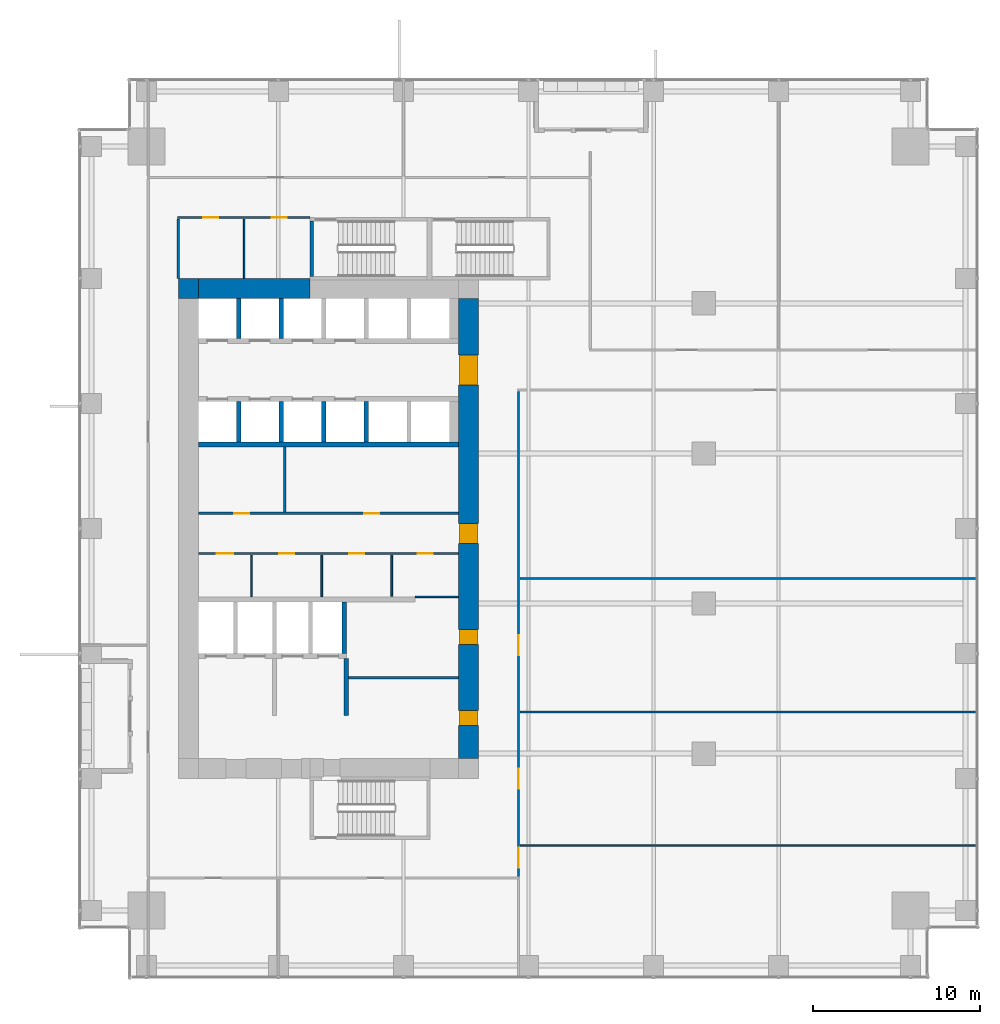
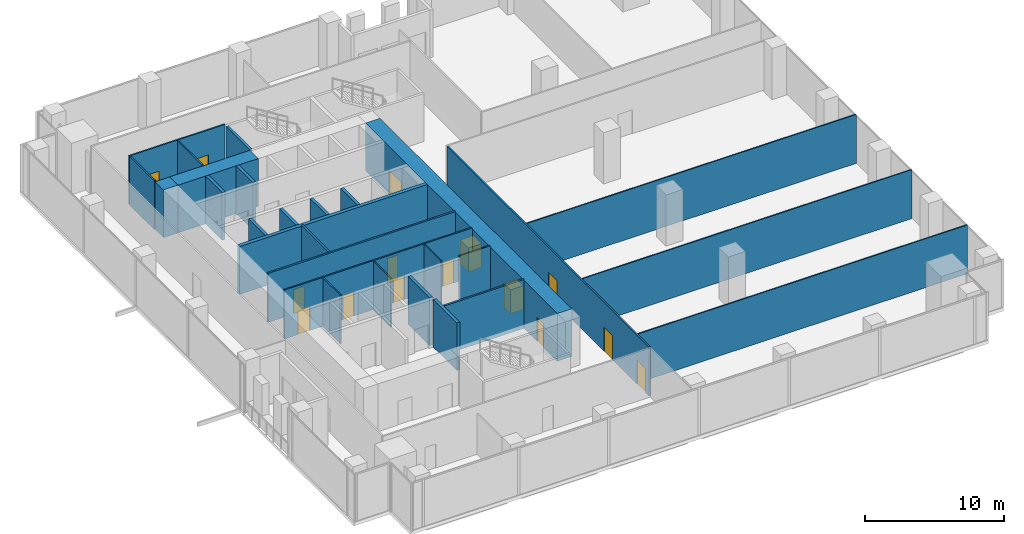
# One storey, part 28 of 33: 28 walls, 15 doors, 15 openings.
"""IFC4 building model written with IfcOpenShell, lengths in metres."""

from ifc_helpers import new_model, si_unit, direction, frame, frame_2d, origin, place, context, subcontext, project, spatial, rectangle, extrude, source, transform, mapped, material, layer, layer_set, type_object, element, fill, save


model = new_model("IFC4")

# Units and contexts
model_context = context("Model", 3, precision=1e-05, world=origin(), true_north=direction((0.0, 1.0)))
body_context = subcontext(model_context, "Body", "Model", "MODEL_VIEW")
ifc_project = project(units=[si_unit("LENGTHUNIT", "METRE"), si_unit("AREAUNIT", "SQUARE_METRE"), si_unit("VOLUMEUNIT", "CUBIC_METRE"), si_unit("PLANEANGLEUNIT", "RADIAN"), si_unit("MASSUNIT", "GRAM", prefix="KILO")], contexts=[model_context])

# Site, building, storey
site_placement = place(None, origin())
site = spatial("IfcSite", under=ifc_project, at=site_placement, CompositionType="ELEMENT")
building_placement = place(site_placement, origin())
building = spatial("IfcBuilding", under=site, at=building_placement, Name="Khomas Fold Tower", CompositionType="ELEMENT")
storey_placement = place(building_placement, frame((0.0, 0.0, 91.5)))
storey = spatial("IfcBuildingStorey", under=building, at=storey_placement, Name="L19", CompositionType="ELEMENT", Elevation=91.5)

# Walls
ifc_material_1 = material(Name="Concrete C70/85", Category="concrete")
ifc_layer_1 = layer(ifc_material_1, 1.199951171875)
ifc_layer_set_1 = layer_set([ifc_layer_1], Name="Concrete C70/85")
wall_type_1 = type_object("IfcWallType", Name="Core wall 1200", PredefinedType="SHEAR", material=ifc_layer_set_1)
shared_shape_1 = source(origin(), body_context, "Body", "SweptSolid", [
    extrude(rectangle(XDim=6.699951171875, YDim=1.199951171875, at=frame_2d((3.35009765625, 0.0))), origin(), (0.0, 0.0, 1.0), 4.199951171875),
])
wall_1_placement = place(storey_placement, frame((7.199951171875, 41.39990234375, 0.0), z_axis=(0.0, 0.0, 1.0), x_axis=(1.0, 0.0, 0.0)))
element("IfcWall", 1, at=wall_1_placement, inside=storey, type_object=wall_type_1, Name="Core wall CW-L-N-B2", PredefinedType="SHEAR", context=body_context, shape_type="MappedRepresentation", body=[
    mapped(shared_shape_1, transform((0.0, 0.0, 0.0))),
])
ifc_material_2 = material(Name="Concrete C70/85", Category="concrete")
ifc_layer_2 = layer(ifc_material_2, 1.199951171875)
ifc_layer_set_2 = layer_set([ifc_layer_2], Name="Concrete C70/85")
wall_type_2 = type_object("IfcWallType", Name="Core corner wall 1200", PredefinedType="SHEAR", material=ifc_layer_set_2)
shared_shape_2 = source(origin(), body_context, "Body", "SweptSolid", [
    extrude(rectangle(XDim=1.199951171875, YDim=1.199951171875, at=frame_2d((0.60009765625, 0.0))), origin(), (0.0, 0.0, 1.0), 4.199951171875),
])
wall_2_placement = place(storey_placement, frame((6.0, 41.39990234375, 0.0), z_axis=(0.0, 0.0, 1.0), x_axis=(1.0, 0.0, 0.0)))
element("IfcWall", 2, at=wall_2_placement, inside=storey, type_object=wall_type_2, Name="Core wall CW-L-NW-B2", PredefinedType="SHEAR", context=body_context, shape_type="MappedRepresentation", body=[
    mapped(shared_shape_2, transform((0.0, 0.0, 0.0))),
])

# Wall, openings, doors
shared_shape_3 = source(origin(), body_context, "Body", "SweptSolid", [
    extrude(rectangle(XDim=27.60009765625, YDim=1.199951171875, at=frame_2d((13.800048828125, 0.0))), origin(), (0.0, 0.0, 1.0), 4.199951171875),
])
wall_3_placement = place(storey_placement, frame((23.39990234375, 13.199951171875, 0.0), z_axis=(0.0, 0.0, 1.0), x_axis=(0.0, 1.0, 0.0)))
wall_3 = element("IfcWall", 3, at=wall_3_placement, inside=storey, type_object=wall_type_1, Name="Core wall CW-L-E-B2", PredefinedType="SHEAR", context=body_context, shape_type="MappedRepresentation", body=[
    mapped(shared_shape_3, transform((0.0, 0.0, 0.0))),
])
shared_shape_4 = source(origin(), body_context, "Body", "SweptSolid", [
    extrude(rectangle(XDim=1.800048828125, YDim=2.10009765625, at=frame_2d((0.89990234375, 1.050048828125))), frame((0.0, 0.60986328125, 0.0), z_axis=(0.0, -1.0, 0.0), x_axis=(1.0, 0.0, 0.0)), (0.0, 0.0, 1.0), 1.219970703125),
])
opening_1_placement = place(wall_3_placement, frame((22.39990234375, 0.0, 0.0)))
opening_1 = element("IfcOpeningElement", 4, at=opening_1_placement, cuts=wall_3, Name="Opening 0015", PredefinedType="OPENING", context=body_context, shape_type="MappedRepresentation", body=[
    mapped(shared_shape_4, transform((0.0, 0.0, 0.0))),
])
shared_shape_5 = source(origin(), body_context, "Body", "SweptSolid", [
    extrude(rectangle(XDim=1.199951171875, YDim=2.10009765625, at=frame_2d((0.60009765625, 1.050048828125))), frame((0.0, 0.60986328125, 0.0), z_axis=(0.0, -1.0, 0.0), x_axis=(1.0, 0.0, 0.0)), (0.0, 0.0, 1.0), 1.219970703125),
])
opening_2_placement = place(wall_3_placement, frame((12.89990234375, 0.0, 0.0)))
opening_2 = element("IfcOpeningElement", 5, at=opening_2_placement, cuts=wall_3, Name="Opening 0001", PredefinedType="OPENING", context=body_context, shape_type="MappedRepresentation", body=[
    mapped(shared_shape_5, transform((0.0, 0.0, 0.0))),
])
shared_shape_6 = source(origin(), body_context, "Body", "SweptSolid", [
    extrude(rectangle(XDim=0.89990234375, YDim=2.10009765625, at=frame_2d((0.449951171875, 1.050048828125))), frame((0.0, 0.60986328125, 0.0), z_axis=(0.0, -1.0, 0.0), x_axis=(1.0, 0.0, 0.0)), (0.0, 0.0, 1.0), 1.219970703125),
])
opening_3_placement = place(wall_3_placement, frame((2.0, 0.0, 0.0)))
opening_3 = element("IfcOpeningElement", 6, at=opening_3_placement, cuts=wall_3, Name="Opening 0003", PredefinedType="OPENING", context=body_context, shape_type="MappedRepresentation", body=[
    mapped(shared_shape_6, transform((0.0, 0.0, 0.0))),
])
opening_4_placement = place(wall_3_placement, frame((6.85009765625, 0.0, 0.0)))
opening_4 = element("IfcOpeningElement", 7, at=opening_4_placement, cuts=wall_3, Name="Opening 0008", PredefinedType="OPENING", context=body_context, shape_type="MappedRepresentation", body=[
    mapped(shared_shape_6, transform((0.0, 0.0, 0.0))),
])
ifc_material_3 = material(Name="Timber door leaf", Category="wood")
door_type_1 = type_object("IfcDoorType", Name="Door 1200x2100 right-hand", OperationType="SINGLE_SWING_RIGHT", PredefinedType="DOOR", material=ifc_material_3)
shared_shape_7 = source(origin(), body_context, "Body", "SweptSolid", [
    extrude(rectangle(XDim=1.199951171875, YDim=2.10009765625, at=frame_2d((0.60009765625, 1.050048828125))), frame((0.0, 0.5498046875, 0.0), z_axis=(0.0, -1.0, 0.0), x_axis=(1.0, 0.0, 0.0)), (0.0, 0.0, 1.0), 1.099853515625),
])
door_1_placement = place(opening_2_placement, origin())
door_1 = element("IfcDoor", 8, at=door_1_placement, inside=storey, type_object=door_type_1, Name="Door", OperationType="SINGLE_SWING_RIGHT", OverallHeight=2.10009765625, OverallWidth=1.199951171875, PredefinedType="DOOR", context=body_context, shape_type="MappedRepresentation", body=[
    mapped(shared_shape_7, transform((0.0, 0.0, 0.0))),
])
fill(opening_2, door_1)
ifc_material_4 = material(Name="Steel door leaf", Category="steel")
door_type_2 = type_object("IfcDoorType", Name="Plant room door 900x2100 right-hand", OperationType="SINGLE_SWING_RIGHT", PredefinedType="DOOR", material=ifc_material_4)
shared_shape_8 = source(origin(), body_context, "Body", "SweptSolid", [
    extrude(rectangle(XDim=0.89990234375, YDim=2.10009765625, at=frame_2d((0.449951171875, 1.050048828125))), frame((0.0, 0.5498046875, 0.0), z_axis=(0.0, -1.0, 0.0), x_axis=(1.0, 0.0, 0.0)), (0.0, 0.0, 1.0), 1.099853515625),
])
door_2_placement = place(opening_3_placement, origin())
door_2 = element("IfcDoor", 9, at=door_2_placement, inside=storey, type_object=door_type_2, Name="Plant room door", OperationType="SINGLE_SWING_RIGHT", OverallHeight=2.10009765625, OverallWidth=0.89990234375, PredefinedType="DOOR", context=body_context, shape_type="MappedRepresentation", body=[
    mapped(shared_shape_8, transform((0.0, 0.0, 0.0))),
])
fill(opening_3, door_2)
ifc_material_5 = material(Name="Timber door leaf", Category="wood")
door_type_3 = type_object("IfcDoorType", Name="Door 900x2100 right-hand", OperationType="SINGLE_SWING_RIGHT", PredefinedType="DOOR", material=ifc_material_5)
door_3_placement = place(opening_4_placement, origin())
door_3 = element("IfcDoor", 10, at=door_3_placement, inside=storey, type_object=door_type_3, Name="Door", OperationType="SINGLE_SWING_RIGHT", OverallHeight=2.10009765625, OverallWidth=0.89990234375, PredefinedType="DOOR", context=body_context, shape_type="MappedRepresentation", body=[
    mapped(shared_shape_8, transform((0.0, 0.0, 0.0))),
])
fill(opening_4, door_3)
ifc_material_6 = material(Name="Steel door leaf", Category="steel")
door_type_4 = type_object("IfcDoorType", Name="Lobby door 1800x2100", OperationType="DOUBLE_DOOR_SINGLE_SWING", PredefinedType="DOOR", material=ifc_material_6)
shared_shape_9 = source(origin(), body_context, "Body", "SweptSolid", [
    extrude(rectangle(XDim=1.800048828125, YDim=2.10009765625, at=frame_2d((0.89990234375, 1.050048828125))), frame((0.0, 0.5498046875, 0.0), z_axis=(0.0, -1.0, 0.0), x_axis=(1.0, 0.0, 0.0)), (0.0, 0.0, 1.0), 1.099853515625),
])
door_4_placement = place(opening_1_placement, origin())
door_4 = element("IfcDoor", 11, at=door_4_placement, inside=storey, type_object=door_type_4, Name="Lobby door", OperationType="DOUBLE_DOOR_SINGLE_SWING", OverallHeight=2.10009765625, OverallWidth=1.800048828125, PredefinedType="DOOR", context=body_context, shape_type="MappedRepresentation", body=[
    mapped(shared_shape_9, transform((0.0, 0.0, 0.0))),
])
fill(opening_1, door_4)

# Walls
ifc_material_7 = material(Name="Concrete C50/60", Category="concrete")
ifc_layer_3 = layer(ifc_material_7, 0.199951171875)
ifc_layer_set_3 = layer_set([ifc_layer_3], Name="Concrete C50/60")
wall_type_3 = type_object("IfcWallType", Name="Stair wall 200", PredefinedType="SHEAR", material=ifc_layer_set_3)
shared_shape_10 = source(origin(), body_context, "Body", "SweptSolid", [
    extrude(rectangle(XDim=3.349853515625, YDim=0.199951171875, at=frame_2d((1.6748046875, 0.0))), origin(), (0.0, 0.0, 1.0), 4.199951171875),
])
wall_4_placement = place(storey_placement, frame((14.0, 42.10009765625, 0.0), z_axis=(0.0, 0.0, 1.0), x_axis=(0.0, 1.0, 0.0)))
element("IfcWall", 12, at=wall_4_placement, inside=storey, type_object=wall_type_3, Name="Stair wall SW-ST1-W", PredefinedType="SHEAR", context=body_context, shape_type="MappedRepresentation", body=[
    mapped(shared_shape_10, transform((0.0, 0.0, 0.0))),
])
ifc_material_8 = material(Name="Concrete C50/60", Category="concrete")
ifc_layer_4 = layer(ifc_material_8, 0.300048828125)
ifc_layer_set_4 = layer_set([ifc_layer_4], Name="Concrete C50/60")
wall_type_4 = type_object("IfcWallType", Name="Shaft wall 300", PredefinedType="STANDARD", material=ifc_layer_set_4)
shared_shape_11 = source(origin(), body_context, "Body", "SweptSolid", [
    extrude(rectangle(XDim=15.60009765625, YDim=0.300048828125, at=frame_2d((7.800048828125, 0.0))), origin(), (0.0, 0.0, 1.0), 4.199951171875),
])
wall_5_placement = place(storey_placement, frame((7.199951171875, 32.050048828125, 0.0), z_axis=(0.0, 0.0, 1.0), x_axis=(1.0, 0.0, 0.0)))
element("IfcWall", 13, at=wall_5_placement, inside=storey, type_object=wall_type_4, Name="Core wall SW-HRN-B", PredefinedType="STANDARD", context=body_context, shape_type="MappedRepresentation", body=[
    mapped(shared_shape_11, transform((0.0, 0.0, 0.0))),
])
ifc_material_9 = material(Name="Concrete C50/60", Category="concrete")
ifc_layer_5 = layer(ifc_material_9, 0.25)
ifc_layer_set_5 = layer_set([ifc_layer_5], Name="Concrete C50/60")
wall_type_5 = type_object("IfcWallType", Name="Shaft wall 250", PredefinedType="STANDARD", material=ifc_layer_set_5)
shared_shape_12 = source(origin(), body_context, "Body", "SweptSolid", [
    extrude(rectangle(XDim=3.10009765625, YDim=0.25, at=frame_2d((1.550048828125, 0.0))), origin(), (0.0, 0.0, 1.0), 4.199951171875),
])
wall_6_placement = place(storey_placement, frame((15.949951171875, 19.5, 0.0), z_axis=(0.0, 0.0, 1.0), x_axis=(0.0, 1.0, 0.0)))
element("IfcWall", 14, at=wall_6_placement, inside=storey, type_object=wall_type_5, Name="Core wall SW-FS-PE", PredefinedType="STANDARD", context=body_context, shape_type="MappedRepresentation", body=[
    mapped(shared_shape_12, transform((0.0, 0.0, 0.0))),
])
shared_shape_13 = source(origin(), body_context, "Body", "SweptSolid", [
    extrude(rectangle(XDim=2.400146484375, YDim=0.25, at=frame_2d((1.2001953125, 0.0))), origin(), (0.0, 0.0, 1.0), 4.199951171875),
])
for number, where, z_axis, x_axis, name in (
    (15, (9.625, 38.39990234375, 0.0), (0.0, 0.0, 1.0), (0.0, 1.0, 0.0), "Core wall SW-LRN-P1"),
    (16, (12.175048828125, 38.39990234375, 0.0), (0.0, 0.0, 1.0), (0.0, 1.0, 0.0), "Core wall SW-LRN-P2"),
    (17, (9.625, 32.199951171875, 0.0), (0.0, 0.0, 1.0), (0.0, 1.0, 0.0), "Core wall SW-LRS-P1"),
    (18, (12.175048828125, 32.199951171875, 0.0), (0.0, 0.0, 1.0), (0.0, 1.0, 0.0), "Core wall SW-LRS-P2"),
    (19, (14.72509765625, 32.199951171875, 0.0), (0.0, 0.0, 1.0), (0.0, 1.0, 0.0), "Core wall SW-LRS-P3"),
    (20, (17.27490234375, 32.199951171875, 0.0), (0.0, 0.0, 1.0), (0.0, 1.0, 0.0), "Core wall SW-LRS-P4"),
):
    element("IfcWall", number, at=place(storey_placement, frame(where, z_axis=z_axis, x_axis=x_axis)), inside=storey, type_object=wall_type_5, Name=name, PredefinedType="STANDARD", context=body_context, shape_type="MappedRepresentation", body=[
        mapped(shared_shape_13, transform((0.0, 0.0, 0.0))),
    ])
ifc_material_10 = material(Name="Concrete C50/60", Category="concrete")
ifc_layer_6 = layer(ifc_material_10, 0.25)
ifc_layer_set_6 = layer_set([ifc_layer_6], Name="Concrete C50/60")
wall_type_6 = type_object("IfcWallType", Name="Lobby wall 250", PredefinedType="STANDARD", material=ifc_layer_set_6)
shared_shape_14 = source(origin(), body_context, "Body", "SweptSolid", [
    extrude(rectangle(XDim=3.39990234375, YDim=0.25, at=frame_2d((1.699951171875, 0.0))), origin(), (0.0, 0.0, 1.0), 4.199951171875),
])
wall_7_placement = place(storey_placement, frame((16.074951171875, 15.800048828125, 0.0), z_axis=(0.0, 0.0, 1.0), x_axis=(0.0, 1.0, 0.0)))
element("IfcWall", 21, at=wall_7_placement, inside=storey, type_object=wall_type_6, Name="Core wall SW-FS-LOB-E", PredefinedType="STANDARD", context=body_context, shape_type="MappedRepresentation", body=[
    mapped(shared_shape_14, transform((0.0, 0.0, 0.0))),
])
ifc_material_11 = material(Name="Plasterboard partition")
ifc_layer_7 = layer(ifc_material_11, 0.10009765625)
ifc_layer_set_7 = layer_set([ifc_layer_7], Name="Plasterboard partition")
wall_type_7 = type_object("IfcWallType", Name="Partition PW1 100", PredefinedType="PARTITIONING", material=ifc_layer_set_7)
shared_shape_15 = source(origin(), body_context, "Body", "SweptSolid", [
    extrude(rectangle(XDim=27.35009765625, YDim=0.10009765625, at=frame_2d((13.675048828125, 0.0))), origin(), (0.0, 0.0, 1.0), 4.300048828125),
])
for number, where, z_axis, x_axis, name in (
    (22, (26.5, 8.0, 0.0), (0.0, 0.0, 1.0), (1.0, 0.0, 0.0), "Partition"),
    (23, (26.5, 16.0, 0.0), (0.0, 0.0, 1.0), (1.0, 0.0, 0.0), "Partition"),
    (24, (26.5, 24.0, 0.0), (0.0, 0.0, 1.0), (1.0, 0.0, 0.0), "Partition"),
):
    element("IfcWall", number, at=place(storey_placement, frame(where, z_axis=z_axis, x_axis=x_axis)), inside=storey, type_object=wall_type_7, Name=name, PredefinedType="PARTITIONING", context=body_context, shape_type="MappedRepresentation", body=[
        mapped(shared_shape_15, transform((0.0, 0.0, 0.0))),
    ])
ifc_material_12 = material(Name="Plasterboard fire partition")
ifc_layer_8 = layer(ifc_material_12, 0.14990234375)
ifc_layer_set_8 = layer_set([ifc_layer_8], Name="Plasterboard fire partition")
wall_type_8 = type_object("IfcWallType", Name="Plant room wall PW3 150", PredefinedType="PARTITIONING", material=ifc_layer_set_8)
shared_shape_16 = source(origin(), body_context, "Body", "SweptSolid", [
    extrude(rectangle(XDim=6.60009765625, YDim=0.14990234375, at=frame_2d((3.300048828125, 0.0))), origin(), (0.0, 0.0, 1.0), 4.300048828125),
])
wall_8_placement = place(storey_placement, frame((16.199951171875, 18.050048828125, 0.0), z_axis=(0.0, 0.0, 1.0), x_axis=(1.0, 0.0, 0.0)))
element("IfcWall", 25, at=wall_8_placement, inside=storey, type_object=wall_type_8, Name="Plant room wall", PredefinedType="PARTITIONING", context=body_context, shape_type="MappedRepresentation", body=[
    mapped(shared_shape_16, transform((0.0, 0.0, 0.0))),
])
shared_shape_17 = source(origin(), body_context, "Body", "SweptSolid", [
    extrude(rectangle(XDim=3.550048828125, YDim=0.10009765625, at=frame_2d((1.77490234375, 0.0))), origin(), (0.0, 0.0, 1.0), 4.300048828125),
])
wall_9_placement = place(storey_placement, frame((9.949951171875, 42.0, 0.0), z_axis=(0.0, 0.0, 1.0), x_axis=(0.0, 1.0, 0.0)))
element("IfcWall", 26, at=wall_9_placement, inside=storey, type_object=wall_type_7, Name="Partition", PredefinedType="PARTITIONING", context=body_context, shape_type="MappedRepresentation", body=[
    mapped(shared_shape_17, transform((0.0, 0.0, 0.0))),
])

# Wall, openings, doors
shared_shape_18 = source(origin(), body_context, "Body", "SweptSolid", [
    extrude(rectangle(XDim=15.60009765625, YDim=0.14990234375, at=frame_2d((7.800048828125, 0.0))), origin(), (0.0, 0.0, 1.0), 4.300048828125),
])
wall_10_placement = place(storey_placement, frame((7.199951171875, 27.89990234375, 0.0), z_axis=(0.0, 0.0, 1.0), x_axis=(1.0, 0.0, 0.0)))
wall_10 = element("IfcWall", 27, at=wall_10_placement, inside=storey, type_object=wall_type_8, Name="Plant room wall", PredefinedType="PARTITIONING", context=body_context, shape_type="MappedRepresentation", body=[
    mapped(shared_shape_18, transform((0.0, 0.0, 0.0))),
])
shared_shape_19 = source(origin(), body_context, "Body", "SweptSolid", [
    extrude(rectangle(XDim=0.89990234375, YDim=2.10009765625, at=frame_2d((0.449951171875, 1.050048828125))), frame((0.0, 0.0849609375, 0.0), z_axis=(0.0, -1.0, 0.0), x_axis=(1.0, 0.0, 0.0)), (0.0, 0.0, 1.0), 0.169921875),
])
opening_5_placement = place(wall_10_placement, frame((2.14990234375, 0.0, 0.0)))
opening_5 = element("IfcOpeningElement", 28, at=opening_5_placement, cuts=wall_10, Name="Opening 0002", PredefinedType="OPENING", context=body_context, shape_type="MappedRepresentation", body=[
    mapped(shared_shape_19, transform((0.0, 0.0, 0.0))),
])
opening_6_placement = place(wall_10_placement, frame((9.949951171875, 0.0, 0.0)))
opening_6 = element("IfcOpeningElement", 29, at=opening_6_placement, cuts=wall_10, Name="Opening 0003", PredefinedType="OPENING", context=body_context, shape_type="MappedRepresentation", body=[
    mapped(shared_shape_19, transform((0.0, 0.0, 0.0))),
])
ifc_material_13 = material(Name="Steel door leaf", Category="steel")
door_type_5 = type_object("IfcDoorType", Name="Plant room door 900x2100 left-hand", OperationType="SINGLE_SWING_LEFT", PredefinedType="DOOR", material=ifc_material_13)
shared_shape_20 = source(origin(), body_context, "Body", "SweptSolid", [
    extrude(rectangle(XDim=0.89990234375, YDim=2.10009765625, at=frame_2d((0.449951171875, 1.050048828125))), frame((0.0, 0.02490234375, 0.0), z_axis=(0.0, -1.0, 0.0), x_axis=(1.0, 0.0, 0.0)), (0.0, 0.0, 1.0), 0.050048828125),
])
door_5_placement = place(opening_5_placement, origin())
door_5 = element("IfcDoor", 30, at=door_5_placement, inside=storey, type_object=door_type_5, Name="Plant room door", OperationType="SINGLE_SWING_LEFT", OverallHeight=2.10009765625, OverallWidth=0.89990234375, PredefinedType="DOOR", context=body_context, shape_type="MappedRepresentation", body=[
    mapped(shared_shape_20, transform((0.0, 0.0, 0.0))),
])
fill(opening_5, door_5)
door_6_placement = place(opening_6_placement, origin())
door_6 = element("IfcDoor", 31, at=door_6_placement, inside=storey, type_object=door_type_2, Name="Plant room door", OperationType="SINGLE_SWING_RIGHT", OverallHeight=2.10009765625, OverallWidth=0.89990234375, PredefinedType="DOOR", context=body_context, shape_type="MappedRepresentation", body=[
    mapped(shared_shape_20, transform((0.0, 0.0, 0.0))),
])
fill(opening_6, door_6)

# Wall
ifc_material_14 = material(Name="Plasterboard partition")
ifc_layer_9 = layer(ifc_material_14, 0.125)
ifc_layer_set_9 = layer_set([ifc_layer_9], Name="Plasterboard partition")
wall_type_9 = type_object("IfcWallType", Name="Partition PW2 125", PredefinedType="PARTITIONING", material=ifc_layer_set_9)
shared_shape_21 = source(origin(), body_context, "Body", "SweptSolid", [
    extrude(rectangle(XDim=3.550048828125, YDim=0.125, at=frame_2d((1.77490234375, 0.0))), origin(), (0.0, 0.0, 1.0), 4.300048828125),
])
wall_11_placement = place(storey_placement, frame((6.0, 42.0, 0.0), z_axis=(0.0, 0.0, 1.0), x_axis=(0.0, 1.0, 0.0)))
element("IfcWall", 32, at=wall_11_placement, inside=storey, type_object=wall_type_9, Name="Partition", PredefinedType="PARTITIONING", context=body_context, shape_type="MappedRepresentation", body=[
    mapped(shared_shape_21, transform((0.0, 0.0, 0.0))),
])

# Wall, openings, doors
shared_shape_22 = source(origin(), body_context, "Body", "SweptSolid", [
    extrude(rectangle(XDim=7.949951171875, YDim=0.125, at=frame_2d((3.97509765625, 0.0))), origin(), (0.0, 0.0, 1.0), 4.300048828125),
])
wall_12_placement = place(storey_placement, frame((5.949951171875, 45.64990234375, 0.0), z_axis=(0.0, 0.0, 1.0), x_axis=(1.0, 0.0, 0.0)))
wall_12 = element("IfcWall", 33, at=wall_12_placement, inside=storey, type_object=wall_type_9, Name="Partition", PredefinedType="PARTITIONING", context=body_context, shape_type="MappedRepresentation", body=[
    mapped(shared_shape_22, transform((0.0, 0.0, 0.0))),
])
shared_shape_23 = source(origin(), body_context, "Body", "SweptSolid", [
    extrude(rectangle(XDim=0.89990234375, YDim=2.10009765625, at=frame_2d((0.449951171875, 1.050048828125))), frame((0.0, 0.072509765625, 0.0), z_axis=(0.0, -1.0, 0.0), x_axis=(1.0, 0.0, 0.0)), (0.0, 0.0, 1.0), 0.14501953125),
])
opening_7_placement = place(wall_12_placement, frame((1.550048828125, 0.0, 0.0)))
opening_7 = element("IfcOpeningElement", 34, at=opening_7_placement, cuts=wall_12, Name="Opening 0007", PredefinedType="OPENING", context=body_context, shape_type="MappedRepresentation", body=[
    mapped(shared_shape_23, transform((0.0, 0.0, 0.0))),
])
opening_8_placement = place(wall_12_placement, frame((5.64990234375, 0.0, 0.0)))
opening_8 = element("IfcOpeningElement", 35, at=opening_8_placement, cuts=wall_12, Name="Opening 0008", PredefinedType="OPENING", context=body_context, shape_type="MappedRepresentation", body=[
    mapped(shared_shape_23, transform((0.0, 0.0, 0.0))),
])
ifc_material_15 = material(Name="Timber door leaf", Category="wood")
door_type_6 = type_object("IfcDoorType", Name="Door 900x2100 left-hand", OperationType="SINGLE_SWING_LEFT", PredefinedType="DOOR", material=ifc_material_15)
door_7_placement = place(opening_7_placement, origin())
door_7 = element("IfcDoor", 36, at=door_7_placement, inside=storey, type_object=door_type_6, Name="Door", OperationType="SINGLE_SWING_LEFT", OverallHeight=2.10009765625, OverallWidth=0.89990234375, PredefinedType="DOOR", context=body_context, shape_type="MappedRepresentation", body=[
    mapped(shared_shape_20, transform((0.0, 0.0, 0.0))),
])
fill(opening_7, door_7)
door_8_placement = place(opening_8_placement, origin())
door_8 = element("IfcDoor", 37, at=door_8_placement, inside=storey, type_object=door_type_3, Name="Door", OperationType="SINGLE_SWING_RIGHT", OverallHeight=2.10009765625, OverallWidth=0.89990234375, PredefinedType="DOOR", context=body_context, shape_type="MappedRepresentation", body=[
    mapped(shared_shape_20, transform((0.0, 0.0, 0.0))),
])
fill(opening_8, door_8)

# Wall
shared_shape_24 = source(origin(), body_context, "Body", "SweptSolid", [
    extrude(rectangle(XDim=2.60009765625, YDim=0.10009765625, at=frame_2d((1.300048828125, 0.0))), origin(), (0.0, 0.0, 1.0), 4.300048828125),
])
wall_13_placement = place(storey_placement, frame((20.199951171875, 22.89990234375, 0.0), z_axis=(0.0, 0.0, 1.0), x_axis=(1.0, 0.0, 0.0)))
element("IfcWall", 38, at=wall_13_placement, inside=storey, type_object=wall_type_7, Name="Partition", PredefinedType="PARTITIONING", context=body_context, shape_type="MappedRepresentation", body=[
    mapped(shared_shape_24, transform((0.0, 0.0, 0.0))),
])

# Wall, openings, doors
shared_shape_25 = source(origin(), body_context, "Body", "SweptSolid", [
    extrude(rectangle(XDim=15.60009765625, YDim=0.125, at=frame_2d((7.800048828125, 0.0))), origin(), (0.0, 0.0, 1.0), 4.300048828125),
])
wall_14_placement = place(storey_placement, frame((7.199951171875, 25.5, 0.0), z_axis=(0.0, 0.0, 1.0), x_axis=(1.0, 0.0, 0.0)))
wall_14 = element("IfcWall", 39, at=wall_14_placement, inside=storey, type_object=wall_type_9, Name="Partition", PredefinedType="PARTITIONING", context=body_context, shape_type="MappedRepresentation", body=[
    mapped(shared_shape_25, transform((0.0, 0.0, 0.0))),
])
shared_shape_26 = source(origin(), body_context, "Body", "SweptSolid", [
    extrude(rectangle(XDim=1.0, YDim=2.10009765625, at=frame_2d((0.5, 1.050048828125))), frame((0.0, 0.072509765625, 0.0), z_axis=(0.0, -1.0, 0.0), x_axis=(1.0, 0.0, 0.0)), (0.0, 0.0, 1.0), 0.14501953125),
])
opening_9_placement = place(wall_14_placement, frame((1.10009765625, 0.0, 0.0)))
opening_9 = element("IfcOpeningElement", 40, at=opening_9_placement, cuts=wall_14, Name="Opening 0006", PredefinedType="OPENING", context=body_context, shape_type="MappedRepresentation", body=[
    mapped(shared_shape_26, transform((0.0, 0.0, 0.0))),
])
opening_10_placement = place(wall_14_placement, frame((4.85009765625, 0.0, 0.0)))
opening_10 = element("IfcOpeningElement", 41, at=opening_10_placement, cuts=wall_14, Name="Opening 0005", PredefinedType="OPENING", context=body_context, shape_type="MappedRepresentation", body=[
    mapped(shared_shape_23, transform((0.0, 0.0, 0.0))),
])
opening_11_placement = place(wall_14_placement, frame((9.050048828125, 0.0, 0.0)))
opening_11 = element("IfcOpeningElement", 42, at=opening_11_placement, cuts=wall_14, Name="Opening 0004", PredefinedType="OPENING", context=body_context, shape_type="MappedRepresentation", body=[
    mapped(shared_shape_23, transform((0.0, 0.0, 0.0))),
])
opening_12_placement = place(wall_14_placement, frame((13.14990234375, 0.0, 0.0)))
opening_12 = element("IfcOpeningElement", 43, at=opening_12_placement, cuts=wall_14, Name="Opening 0007", PredefinedType="OPENING", context=body_context, shape_type="MappedRepresentation", body=[
    mapped(shared_shape_23, transform((0.0, 0.0, 0.0))),
])
ifc_material_16 = material(Name="Timber door leaf", Category="wood")
door_type_7 = type_object("IfcDoorType", Name="WC door 900x2100 left-hand", OperationType="SINGLE_SWING_LEFT", PredefinedType="DOOR", material=ifc_material_16)
door_9_placement = place(opening_10_placement, origin())
door_9 = element("IfcDoor", 44, at=door_9_placement, inside=storey, type_object=door_type_7, Name="WC door", OperationType="SINGLE_SWING_LEFT", OverallHeight=2.10009765625, OverallWidth=0.89990234375, PredefinedType="DOOR", context=body_context, shape_type="MappedRepresentation", body=[
    mapped(shared_shape_20, transform((0.0, 0.0, 0.0))),
])
fill(opening_10, door_9)
ifc_material_17 = material(Name="Timber door leaf", Category="wood")
door_type_8 = type_object("IfcDoorType", Name="WC door 900x2100 right-hand", OperationType="SINGLE_SWING_RIGHT", PredefinedType="DOOR", material=ifc_material_17)
door_10_placement = place(opening_11_placement, origin())
door_10 = element("IfcDoor", 45, at=door_10_placement, inside=storey, type_object=door_type_8, Name="WC door", OperationType="SINGLE_SWING_RIGHT", OverallHeight=2.10009765625, OverallWidth=0.89990234375, PredefinedType="DOOR", context=body_context, shape_type="MappedRepresentation", body=[
    mapped(shared_shape_20, transform((0.0, 0.0, 0.0))),
])
fill(opening_11, door_10)
door_11_placement = place(opening_12_placement, origin())
door_11 = element("IfcDoor", 46, at=door_11_placement, inside=storey, type_object=door_type_6, Name="Door", OperationType="SINGLE_SWING_LEFT", OverallHeight=2.10009765625, OverallWidth=0.89990234375, PredefinedType="DOOR", context=body_context, shape_type="MappedRepresentation", body=[
    mapped(shared_shape_20, transform((0.0, 0.0, 0.0))),
])
fill(opening_12, door_11)
ifc_material_18 = material(Name="Timber door leaf", Category="wood")
door_type_9 = type_object("IfcDoorType", Name="WC door 1000x2100 right-hand", OperationType="SINGLE_SWING_RIGHT", PredefinedType="DOOR", material=ifc_material_18)
shared_shape_27 = source(origin(), body_context, "Body", "SweptSolid", [
    extrude(rectangle(XDim=1.0, YDim=2.10009765625, at=frame_2d((0.5, 1.050048828125))), frame((0.0, 0.02490234375, 0.0), z_axis=(0.0, -1.0, 0.0), x_axis=(1.0, 0.0, 0.0)), (0.0, 0.0, 1.0), 0.050048828125),
])
door_12_placement = place(opening_9_placement, origin())
door_12 = element("IfcDoor", 47, at=door_12_placement, inside=storey, type_object=door_type_9, Name="WC door", OperationType="SINGLE_SWING_RIGHT", OverallHeight=2.10009765625, OverallWidth=1.0, PredefinedType="DOOR", context=body_context, shape_type="MappedRepresentation", body=[
    mapped(shared_shape_27, transform((0.0, 0.0, 0.0))),
])
fill(opening_9, door_12)

shared_shape_28 = source(origin(), body_context, "Body", "SweptSolid", [
    extrude(rectangle(XDim=29.050048828125, YDim=0.125, at=frame_2d((14.52490234375, 0.0))), origin(), (0.0, 0.0, 1.0), 4.300048828125),
])
wall_15_placement = place(storey_placement, frame((26.39990234375, 6.14990234375, 0.0), z_axis=(0.0, 0.0, 1.0), x_axis=(0.0, 1.0, 0.0)))
wall_15 = element("IfcWall", 48, at=wall_15_placement, inside=storey, type_object=wall_type_9, Name="Partition", PredefinedType="PARTITIONING", context=body_context, shape_type="MappedRepresentation", body=[
    mapped(shared_shape_28, transform((0.0, 0.0, 0.0))),
])
shared_shape_29 = source(origin(), body_context, "Body", "SweptSolid", [
    extrude(rectangle(XDim=1.199951171875, YDim=2.10009765625, at=frame_2d((0.60009765625, 1.050048828125))), frame((0.0, 0.072509765625, 0.0), z_axis=(0.0, -1.0, 0.0), x_axis=(1.0, 0.0, 0.0)), (0.0, 0.0, 1.0), 0.14501953125),
])
opening_13_placement = place(wall_15_placement, frame((0.5, 0.0, 0.0)))
opening_13 = element("IfcOpeningElement", 49, at=opening_13_placement, cuts=wall_15, Name="Opening 0001", PredefinedType="OPENING", context=body_context, shape_type="MappedRepresentation", body=[
    mapped(shared_shape_29, transform((0.0, 0.0, 0.0))),
])
opening_14_placement = place(wall_15_placement, frame((5.25, 0.0, 0.0)))
opening_14 = element("IfcOpeningElement", 50, at=opening_14_placement, cuts=wall_15, Name="Opening 0001", PredefinedType="OPENING", context=body_context, shape_type="MappedRepresentation", body=[
    mapped(shared_shape_29, transform((0.0, 0.0, 0.0))),
])
opening_15_placement = place(wall_15_placement, frame((13.25, 0.0, 0.0)))
opening_15 = element("IfcOpeningElement", 51, at=opening_15_placement, cuts=wall_15, Name="Opening 0013", PredefinedType="OPENING", context=body_context, shape_type="MappedRepresentation", body=[
    mapped(shared_shape_29, transform((0.0, 0.0, 0.0))),
])
shared_shape_30 = source(origin(), body_context, "Body", "SweptSolid", [
    extrude(rectangle(XDim=1.199951171875, YDim=2.10009765625, at=frame_2d((0.60009765625, 1.050048828125))), frame((0.0, 0.02490234375, 0.0), z_axis=(0.0, -1.0, 0.0), x_axis=(1.0, 0.0, 0.0)), (0.0, 0.0, 1.0), 0.050048828125),
])
door_13_placement = place(opening_13_placement, origin())
door_13 = element("IfcDoor", 52, at=door_13_placement, inside=storey, type_object=door_type_1, Name="Door", OperationType="SINGLE_SWING_RIGHT", OverallHeight=2.10009765625, OverallWidth=1.199951171875, PredefinedType="DOOR", context=body_context, shape_type="MappedRepresentation", body=[
    mapped(shared_shape_30, transform((0.0, 0.0, 0.0))),
])
fill(opening_13, door_13)
door_14_placement = place(opening_14_placement, origin())
door_14 = element("IfcDoor", 53, at=door_14_placement, inside=storey, type_object=door_type_1, Name="Door", OperationType="SINGLE_SWING_RIGHT", OverallHeight=2.10009765625, OverallWidth=1.199951171875, PredefinedType="DOOR", context=body_context, shape_type="MappedRepresentation", body=[
    mapped(shared_shape_30, transform((0.0, 0.0, 0.0))),
])
fill(opening_14, door_14)
ifc_material_19 = material(Name="Timber door leaf", Category="wood")
door_type_10 = type_object("IfcDoorType", Name="Door 1200x2100 left-hand", OperationType="SINGLE_SWING_LEFT", PredefinedType="DOOR", material=ifc_material_19)
door_15_placement = place(opening_15_placement, origin())
door_15 = element("IfcDoor", 54, at=door_15_placement, inside=storey, type_object=door_type_10, Name="Door", OperationType="SINGLE_SWING_LEFT", OverallHeight=2.10009765625, OverallWidth=1.199951171875, PredefinedType="DOOR", context=body_context, shape_type="MappedRepresentation", body=[
    mapped(shared_shape_30, transform((0.0, 0.0, 0.0))),
])
fill(opening_15, door_15)

# Walls
shared_shape_31 = source(origin(), body_context, "Body", "SweptSolid", [
    extrude(rectangle(XDim=2.5, YDim=0.10009765625, at=frame_2d((1.25, 0.0))), origin(), (0.0, 0.0, 1.0), 4.300048828125),
])
for number, where, z_axis, x_axis, name in (
    (55, (10.39990234375, 22.89990234375, 0.0), (0.0, 0.0, 1.0), (0.0, 1.0, 0.0), "Partition"),
    (56, (14.60009765625, 22.89990234375, 0.0), (0.0, 0.0, 1.0), (0.0, 1.0, 0.0), "Partition"),
):
    element("IfcWall", number, at=place(storey_placement, frame(where, z_axis=z_axis, x_axis=x_axis)), inside=storey, type_object=wall_type_7, Name=name, PredefinedType="PARTITIONING", context=body_context, shape_type="MappedRepresentation", body=[
        mapped(shared_shape_31, transform((0.0, 0.0, 0.0))),
    ])
shared_shape_32 = source(origin(), body_context, "Body", "SweptSolid", [
    extrude(rectangle(XDim=2.449951171875, YDim=0.10009765625, at=frame_2d((1.22509765625, 0.0))), origin(), (0.0, 0.0, 1.0), 4.300048828125),
])
wall_16_placement = place(storey_placement, frame((18.800048828125, 22.949951171875, 0.0), z_axis=(0.0, 0.0, 1.0), x_axis=(0.0, 1.0, 0.0)))
element("IfcWall", 57, at=wall_16_placement, inside=storey, type_object=wall_type_7, Name="Partition", PredefinedType="PARTITIONING", context=body_context, shape_type="MappedRepresentation", body=[
    mapped(shared_shape_32, transform((0.0, 0.0, 0.0))),
])
shared_shape_33 = source(origin(), body_context, "Body", "SweptSolid", [
    extrude(rectangle(XDim=3.89990234375, YDim=0.14990234375, at=frame_2d((1.949951171875, 0.0))), origin(), (0.0, 0.0, 1.0), 4.300048828125),
])
wall_17_placement = place(storey_placement, frame((12.39990234375, 28.0, 0.0), z_axis=(0.0, 0.0, 1.0), x_axis=(0.0, 1.0, 0.0)))
element("IfcWall", 58, at=wall_17_placement, inside=storey, type_object=wall_type_8, Name="Plant room wall", PredefinedType="PARTITIONING", context=body_context, shape_type="MappedRepresentation", body=[
    mapped(shared_shape_33, transform((0.0, 0.0, 0.0))),
])

save(model, "model.ifc")
